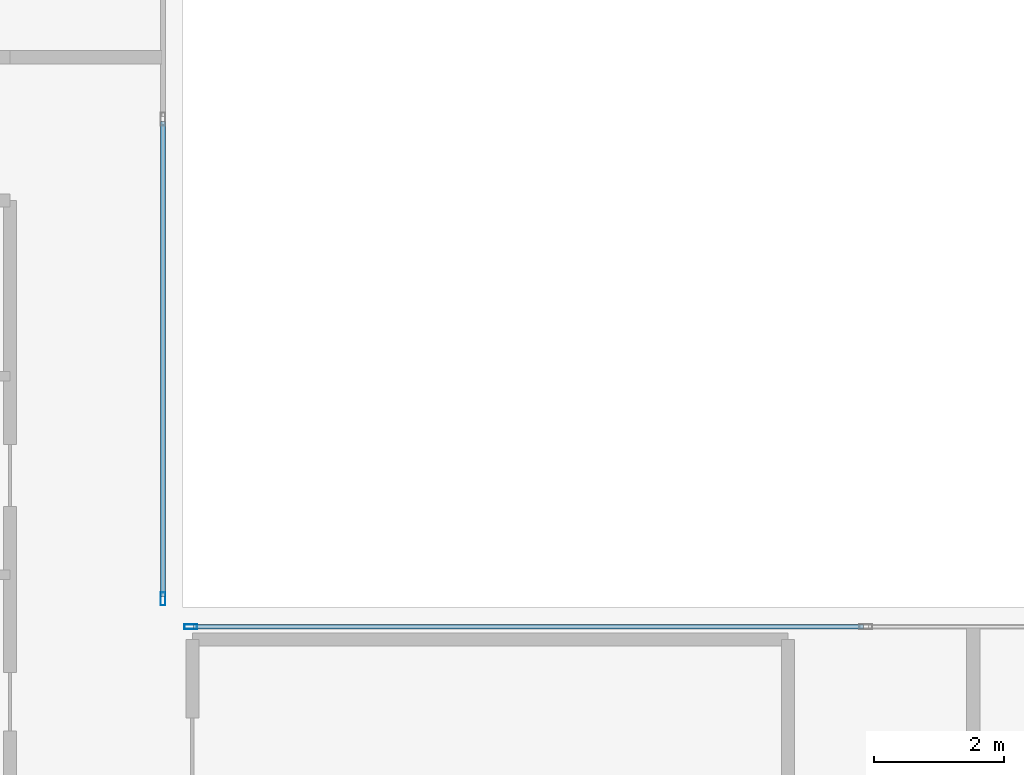
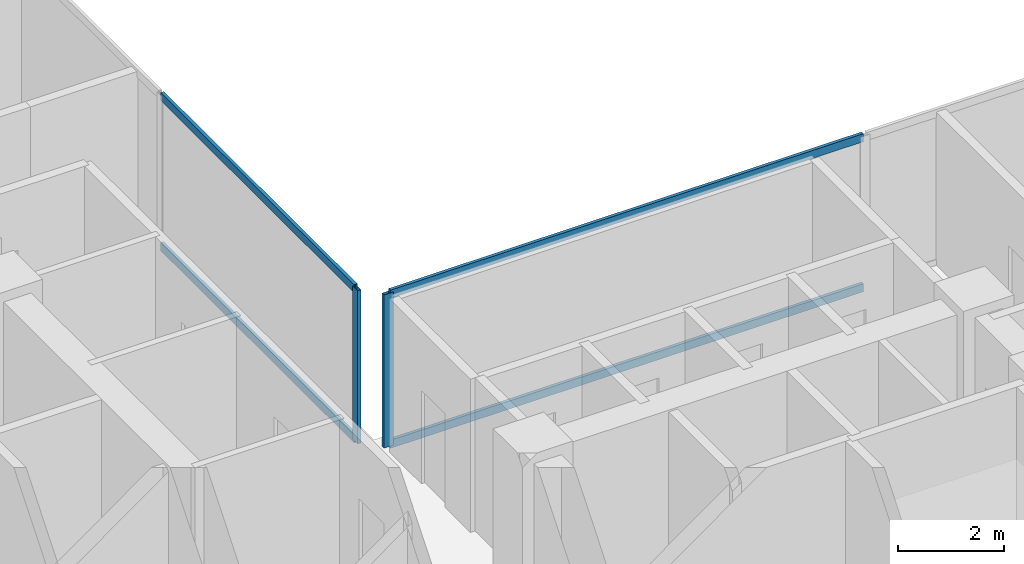
# One storey, part 9 of 28: 6 members, 2 elements without a shape of their own.
"""IFC4 building model written with IfcOpenShell, lengths in metres."""

from ifc_helpers import new_model, si_unit, direction, frame, origin, origin_2d, place, context, subcontext, project, spatial, hollow_rectangle, extrude, material, layer, layer_set, material_profile, profile_set, type_object, element, aggregate, save


model = new_model("IFC4")

# Units and contexts
model_context = context("Model", 3, precision=1e-05, world=origin(), true_north=direction((0.0, 1.0)))
body_context = subcontext(model_context, "Body", "Model", "MODEL_VIEW")
ifc_project = project(units=[si_unit("LENGTHUNIT", "METRE"), si_unit("AREAUNIT", "SQUARE_METRE"), si_unit("VOLUMEUNIT", "CUBIC_METRE"), si_unit("PLANEANGLEUNIT", "RADIAN"), si_unit("MASSUNIT", "GRAM", prefix="KILO"), si_unit("THERMODYNAMICTEMPERATUREUNIT", "KELVIN"), si_unit("POWERUNIT", "WATT")], contexts=[model_context])

# Site, building, storey
site_placement = place(None, origin())
site = spatial("IfcSite", under=ifc_project, at=site_placement, CompositionType="ELEMENT")
building_placement = place(site_placement, origin())
building = spatial("IfcBuilding", under=site, at=building_placement, Name="Svarakhadi Broadcast Tower", CompositionType="ELEMENT")
storey_placement = place(building_placement, frame((0.0, 0.0, 153.14990234375)))
storey = spatial("IfcBuildingStorey", under=building, at=storey_placement, Name="L37", CompositionType="ELEMENT", Elevation=153.14990234375)

# Curtain wall, member
ifc_material = material(Name="Anodised Bronze Aluminium AA 6063-T6", Category="aluminium")
ifc_layer = layer(ifc_material, 0.199951171875)
ifc_layer_set = layer_set([ifc_layer], Name="Anodised Bronze Aluminium AA 6063-T6")
curtain_wall_type = type_object("IfcCurtainWallType", Name="CW_Sys_03", PredefinedType="NOTDEFINED", material=ifc_layer_set)
curtain_wall_1_placement = place(storey_placement, origin())
curtain_wall_1 = element("IfcCurtainWall", 1, at=curtain_wall_1_placement, inside=storey, type_object=curtain_wall_type, Name="L37 Unitised Facade Curtain Wall 09", PredefinedType="NOTDEFINED")
ifc_material_profile_1 = material_profile(ifc_material, hollow_rectangle(XDim=0.074951171875, YDim=0.199951171875, WallThickness=0.005615234375, at=origin_2d()), Name="ALU MULLION 200x75x6")
ifc_profile_set_1 = profile_set([ifc_material_profile_1], Name="Anodised Bronze Aluminium AA 6063-T6")
member_type_1 = type_object("IfcMemberType", Name="CW_Sys_03_Mul", PredefinedType="MULLION", material=ifc_profile_set_1)
member_1_placement = place(storey_placement, frame((23.699951171875, 24.12744140625, 0.0), z_axis=(0.0, 0.0, 1.0), x_axis=(1.0, 0.0, 0.0)))
member_1 = element("IfcMember", 2, at=member_1_placement, type_object=member_type_1, Name="CW-03 mullion 3", PredefinedType="MULLION", context=body_context, shape_type="SweptSolid", body=[
    extrude(hollow_rectangle(XDim=0.074951171875, YDim=0.199951171875, WallThickness=0.005615234375, at=origin_2d()), origin(), (0.0, 0.0, 1.0), 3.525146484375),
])

curtain_wall_2_placement = place(storey_placement, origin())
curtain_wall_2 = element("IfcCurtainWall", 3, at=curtain_wall_2_placement, inside=storey, type_object=curtain_wall_type, Name="L37 Unitised Facade Curtain Wall 10", PredefinedType="NOTDEFINED")
member_2_placement = place(storey_placement, frame((24.12744140625, 23.699951171875, 0.0), z_axis=(0.0, 0.0, 1.0), x_axis=(0.0, 1.0, 0.0)))
member_2 = element("IfcMember", 4, at=member_2_placement, type_object=member_type_1, Name="CW-03 mullion 1", PredefinedType="MULLION", context=body_context, shape_type="SweptSolid", body=[
    extrude(hollow_rectangle(XDim=0.074951171875, YDim=0.199951171875, WallThickness=0.005615234375, at=origin_2d()), origin(), (0.0, 0.0, 1.0), 3.525146484375),
])

# Member
ifc_material_profile_2 = material_profile(ifc_material, hollow_rectangle(XDim=0.070068359375, YDim=0.18505859375, WallThickness=0.0048828125, at=origin_2d()), Name="ALU TRANSOM 185x70x5")
ifc_profile_set_2 = profile_set([ifc_material_profile_2], Name="Anodised Bronze Aluminium AA 6063-T6")
member_type_2 = type_object("IfcMemberType", Name="CW_Sys_03_Trn", PredefinedType="USERDEFINED", material=ifc_profile_set_2)
member_3_placement = place(storey_placement, frame((23.699951171875, 31.46240234375, 0.03515625), z_axis=(0.0, -1.0, 0.0), x_axis=(1.0, 0.0, 0.0)))
member_3 = element("IfcMember", 5, at=member_3_placement, type_object=member_type_2, Name="CW-03 transom 2.1", ObjectType="TRANSOM", PredefinedType="USERDEFINED", context=body_context, shape_type="SweptSolid", body=[
    extrude(hollow_rectangle(XDim=0.070068359375, YDim=0.18505859375, WallThickness=0.0048828125, at=origin_2d()), origin(), (0.0, 0.0, 1.0), 7.29736328125),
])

member_4_placement = place(storey_placement, frame((23.699951171875, 31.46240234375, 3.489990234375), z_axis=(0.0, -1.0, 0.0), x_axis=(1.0, 0.0, 0.0)))
member_4 = element("IfcMember", 6, at=member_4_placement, type_object=member_type_2, Name="CW-03 transom 2.2", ObjectType="TRANSOM", PredefinedType="USERDEFINED", context=body_context, shape_type="SweptSolid", body=[
    extrude(hollow_rectangle(XDim=0.070068359375, YDim=0.18505859375, WallThickness=0.0048828125, at=origin_2d()), origin(), (0.0, 0.0, 1.0), 7.29736328125),
])

aggregate(curtain_wall_1, [member_1, member_3, member_4])

member_5_placement = place(storey_placement, frame((24.1650390625, 23.699951171875, 0.03515625), z_axis=(1.0, 0.0, 0.0), x_axis=(0.0, 1.0, 0.0)))
member_5 = element("IfcMember", 7, at=member_5_placement, type_object=member_type_2, Name="CW-03 transom 1.1", ObjectType="TRANSOM", PredefinedType="USERDEFINED", context=body_context, shape_type="SweptSolid", body=[
    extrude(hollow_rectangle(XDim=0.070068359375, YDim=0.18505859375, WallThickness=0.0048828125, at=origin_2d()), origin(), (0.0, 0.0, 1.0), 10.29736328125),
])

member_6_placement = place(storey_placement, frame((24.1650390625, 23.699951171875, 3.489990234375), z_axis=(1.0, 0.0, 0.0), x_axis=(0.0, 1.0, 0.0)))
member_6 = element("IfcMember", 8, at=member_6_placement, type_object=member_type_2, Name="CW-03 transom 1.2", ObjectType="TRANSOM", PredefinedType="USERDEFINED", context=body_context, shape_type="SweptSolid", body=[
    extrude(hollow_rectangle(XDim=0.070068359375, YDim=0.18505859375, WallThickness=0.0048828125, at=origin_2d()), origin(), (0.0, 0.0, 1.0), 10.29736328125),
])

aggregate(curtain_wall_2, [member_2, member_5, member_6])

save(model, "model.ifc")
